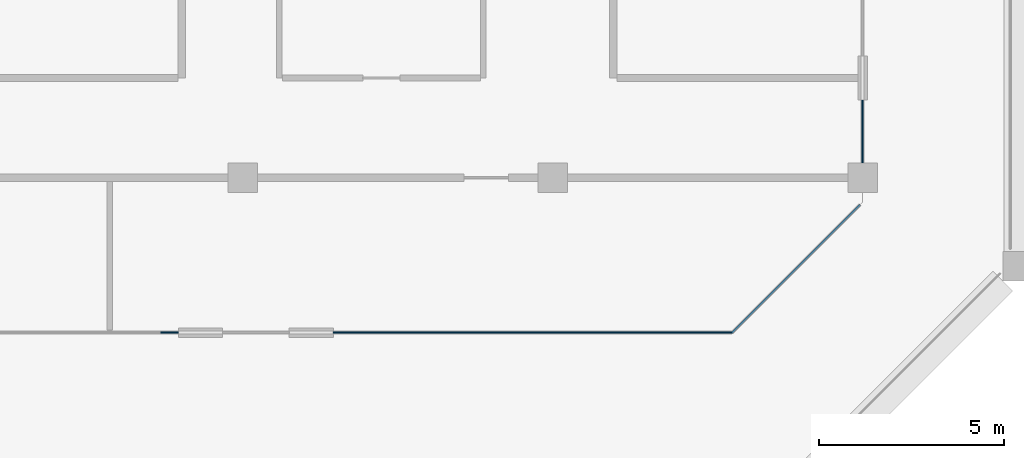
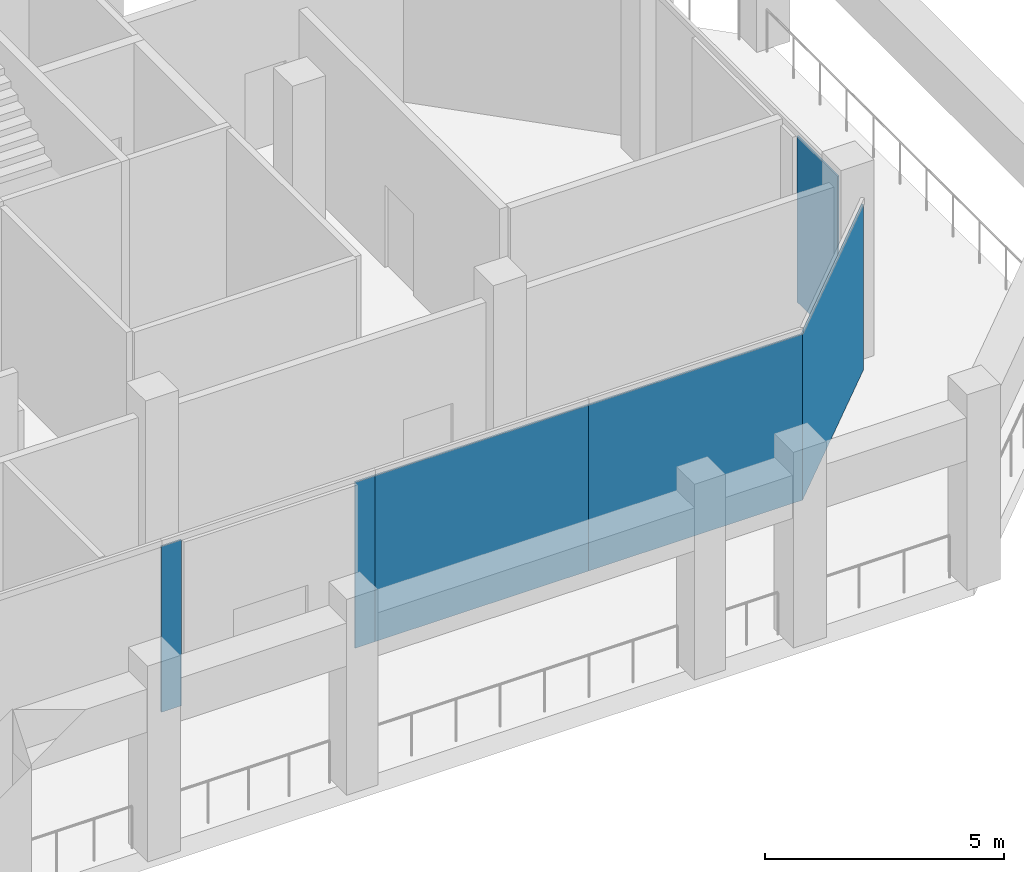
# One storey, part 5 of 16: 6 plates, 3 elements without a shape of their own.
"""IFC4 building model written with IfcOpenShell, lengths in metres."""

from ifc_helpers import new_model, si_unit, direction, frame, origin, origin_2d, place, context, subcontext, project, spatial, rectangle, extrude, material, layer, layer_set, type_object, element, aggregate, save


model = new_model("IFC4")

# Units and contexts
model_context = context("Model", 3, precision=1e-05, world=origin(), true_north=direction((0.0, 1.0)))
body_context = subcontext(model_context, "Body", "Model", "MODEL_VIEW")
ifc_project = project(units=[si_unit("LENGTHUNIT", "METRE"), si_unit("AREAUNIT", "SQUARE_METRE"), si_unit("VOLUMEUNIT", "CUBIC_METRE"), si_unit("PLANEANGLEUNIT", "RADIAN"), si_unit("MASSUNIT", "GRAM", prefix="KILO")], contexts=[model_context])

# Site, building, storey
site_placement = place(None, origin())
site = spatial("IfcSite", under=ifc_project, at=site_placement, CompositionType="ELEMENT")
building_placement = place(site_placement, origin())
building = spatial("IfcBuilding", under=site, at=building_placement, Name="Kawkab Arch Medical Tower", CompositionType="ELEMENT")
storey_placement = place(building_placement, frame((0.0, 0.0, 272.60009765625)))
storey = spatial("IfcBuildingStorey", under=building, at=storey_placement, Name="L63", CompositionType="ELEMENT", Elevation=272.60009765625)

# Curtain wall, plates
ifc_material_1 = material(Name="Bronze anodised aluminium curtain wall frame", Category="aluminium")
ifc_layer_1 = layer(ifc_material_1, 0.159912109375)
ifc_layer_set_1 = layer_set([ifc_layer_1], Name="Bronze anodised aluminium curtain wall frame")
curtain_wall_type = type_object("IfcCurtainWallType", Name="CW4 refuge floor fire-protected glazing", PredefinedType="NOTDEFINED", material=ifc_layer_set_1)
placement = place(storey_placement, origin())
curtain_wall_1 = element("IfcCurtainWall", 1, at=placement, inside=storey, type_object=curtain_wall_type, Name="CW4 Refuge floor fire-protected glazing R13", PredefinedType="NOTDEFINED")
ifc_material_2 = material(Name="Fire-resisting laminated glass", Category="glass")
ifc_layer_2 = layer(ifc_material_2, 0.0400390625)
ifc_layer_set_2 = layer_set([ifc_layer_2], Name="Fire-resisting laminated glass")
plate_type = type_object("IfcPlateType", Name="CW4 glazing unit 40", PredefinedType="CURTAIN_PANEL", material=ifc_layer_set_2)
plate_1_placement = place(storey_placement, frame((40.02001953125, -21.0, 0.0), z_axis=(0.0, 0.0, 1.0), x_axis=(1.0, 0.0, 0.0)))
plate_1 = element("IfcPlate", 2, at=plate_1_placement, type_object=plate_type, Name="CW4 glazing unit 3.1", PredefinedType="CURTAIN_PANEL", context=body_context, shape_type="SweptSolid", body=[
    extrude(rectangle(XDim=0.47998046875, YDim=0.0400390625, at=origin_2d()), origin(), (0.0, 0.0, 1.0), 4.239990234375),
])
plate_2_placement = place(storey_placement, frame((44.699951171875, -21.0, 0.0), z_axis=(0.0, 0.0, 1.0), x_axis=(1.0, 0.0, 0.0)))
plate_2 = element("IfcPlate", 3, at=plate_2_placement, type_object=plate_type, Name="CW4 glazing unit 3.3", PredefinedType="CURTAIN_PANEL", context=body_context, shape_type="SweptSolid", body=[
    extrude(rectangle(XDim=0.47998046875, YDim=0.0400390625, at=origin_2d()), origin(), (0.0, 0.0, 1.0), 4.239990234375),
])
plate_3_placement = place(storey_placement, frame((47.52001953125, -21.0, 0.0), z_axis=(0.0, 0.0, 1.0), x_axis=(1.0, 0.0, 0.0)))
plate_3 = element("IfcPlate", 4, at=plate_3_placement, type_object=plate_type, Name="CW4 glazing unit 4.1", PredefinedType="CURTAIN_PANEL", context=body_context, shape_type="SweptSolid", body=[
    extrude(rectangle(XDim=5.159912109375, YDim=0.0400390625, at=origin_2d()), origin(), (0.0, 0.0, 1.0), 4.239990234375),
])
plate_4_placement = place(storey_placement, frame((52.679931640625, -21.0, 0.0), z_axis=(0.0, 0.0, 1.0), x_axis=(1.0, 0.0, 0.0)))
plate_4 = element("IfcPlate", 5, at=plate_4_placement, type_object=plate_type, Name="CW4 glazing unit 5.1", PredefinedType="CURTAIN_PANEL", context=body_context, shape_type="SweptSolid", body=[
    extrude(rectangle(XDim=5.159912109375, YDim=0.0400390625, at=origin_2d()), origin(), (0.0, 0.0, 1.0), 4.239990234375),
])
aggregate(curtain_wall_1, [plate_1, plate_2, plate_3, plate_4])

# Curtain wall, plate
curtain_wall_2 = element("IfcCurtainWall", 6, at=placement, inside=storey, type_object=curtain_wall_type, Name="CW4 Refuge floor fire-protected glazing R14", PredefinedType="NOTDEFINED")
plate_5_placement = place(storey_placement, frame((56.9951171875, -19.264892578125, 0.0), z_axis=(0.0, 0.0, 1.0), x_axis=(0.707106781187, 0.707106781187, 0.0)))
plate_5 = element("IfcPlate", 7, at=plate_5_placement, type_object=plate_type, Name="CW4 glazing unit 1.1", PredefinedType="CURTAIN_PANEL", context=body_context, shape_type="SweptSolid", body=[
    extrude(rectangle(XDim=4.9072265625, YDim=0.0400390625, at=origin_2d()), origin(), (0.0, 0.0, 1.0), 4.239990234375),
])
aggregate(curtain_wall_2, [plate_5])

curtain_wall_3 = element("IfcCurtainWall", 8, at=placement, inside=storey, type_object=curtain_wall_type, Name="CW4 Refuge floor fire-protected glazing R15", PredefinedType="NOTDEFINED")
plate_6_placement = place(storey_placement, frame((58.800048828125, -15.550048828125, 0.0), z_axis=(0.0, 0.0, 1.0), x_axis=(0.0, 1.0, 0.0)))
plate_6 = element("IfcPlate", 9, at=plate_6_placement, type_object=plate_type, Name="CW4 glazing unit 1.1", PredefinedType="CURTAIN_PANEL", context=body_context, shape_type="SweptSolid", body=[
    extrude(rectangle(XDim=1.699951171875, YDim=0.0400390625, at=origin_2d()), origin(), (0.0, 0.0, 1.0), 4.239990234375),
])
aggregate(curtain_wall_3, [plate_6])

save(model, "model.ifc")
